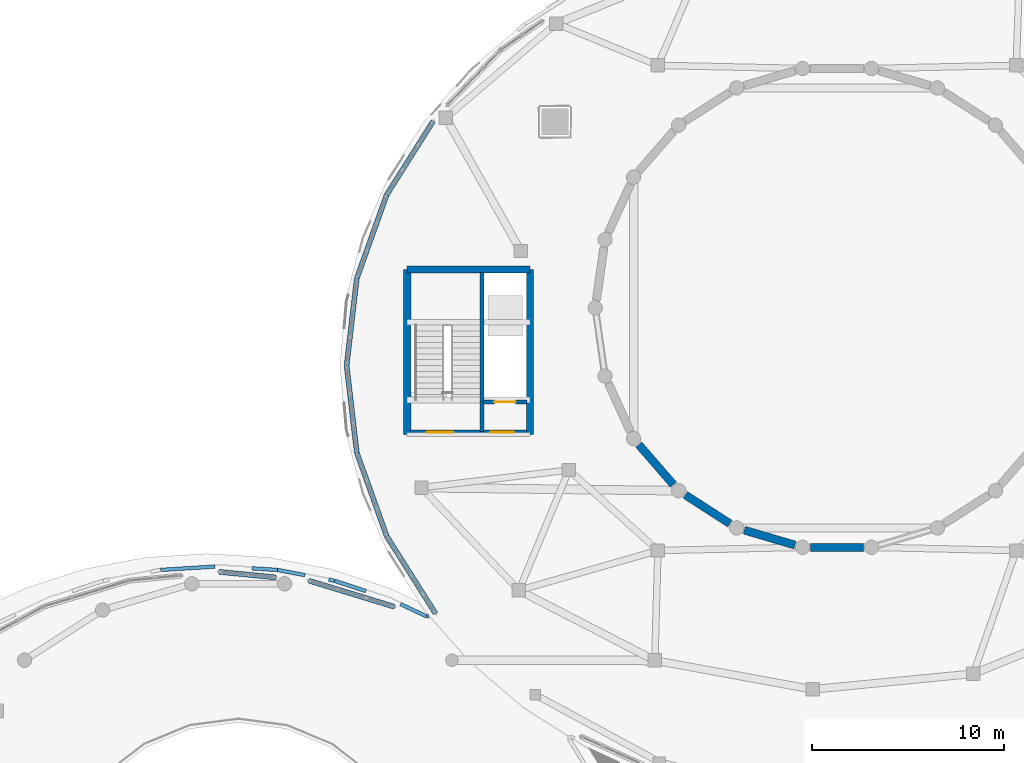
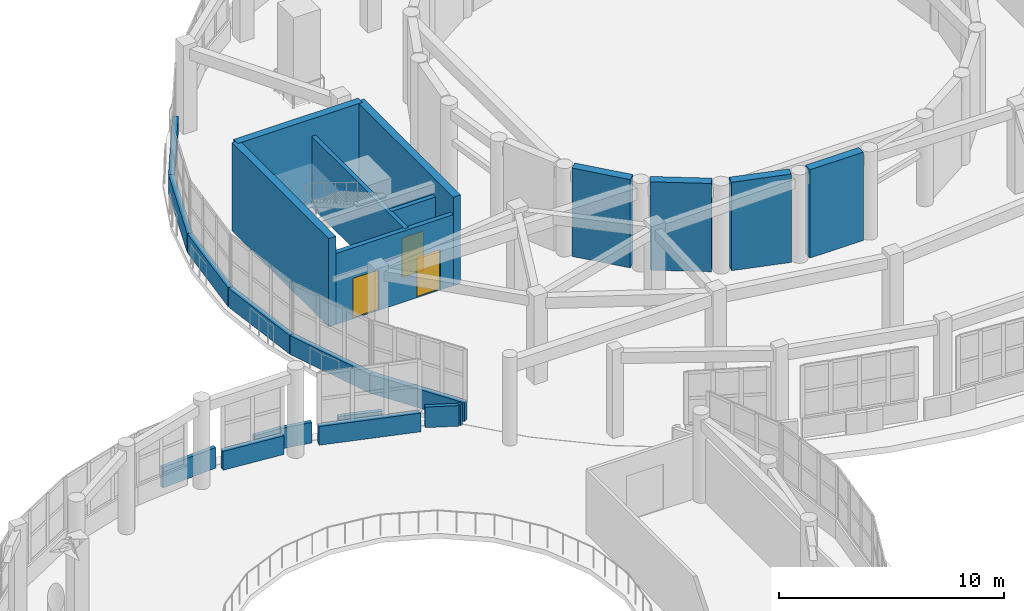
# One storey, part 78 of 98: 25 walls, 3 doors, 3 openings.
"""IFC4 building model written with IfcOpenShell, lengths in metres."""

from ifc_helpers import new_model, si_unit, direction, frame, frame_2d, origin, place, context, subcontext, project, spatial, rectangle, extrude, material, layer, layer_set, type_object, element, fill, save


model = new_model("IFC4")

# Units and contexts
model_context = context("Model", 3, precision=1e-05, world=origin(), true_north=direction((0.0, 1.0)))
body_context = subcontext(model_context, "Body", "Model", "MODEL_VIEW")
ifc_project = project(units=[si_unit("LENGTHUNIT", "METRE"), si_unit("AREAUNIT", "SQUARE_METRE"), si_unit("VOLUMEUNIT", "CUBIC_METRE"), si_unit("PLANEANGLEUNIT", "RADIAN"), si_unit("MASSUNIT", "GRAM", prefix="KILO")], contexts=[model_context])

# Site, building, storey
site_placement = place(None, origin())
site = spatial("IfcSite", under=ifc_project, at=site_placement, CompositionType="ELEMENT")
building_placement = place(site_placement, origin())
building = spatial("IfcBuilding", under=site, at=building_placement, Name="Pelvatis Terrace Science Centre", CompositionType="ELEMENT")
storey_placement = place(building_placement, frame((0.0, 0.0, 5.39990234375)))
storey = spatial("IfcBuildingStorey", under=building, at=storey_placement, Name="L01", CompositionType="ELEMENT", Elevation=5.39990234375)

# Walls
ifc_material_1 = material(Name="White architectural precast concrete C40/50 spandrel", Category="concrete")
ifc_layer_1 = layer(ifc_material_1, 0.260009765625)
ifc_layer_set_1 = layer_set([ifc_layer_1], Name="White architectural precast concrete C40/50 spandrel")
wall_type_1 = type_object("IfcWallType", Name="WL-EXT-SPND-260", PredefinedType="SOLIDWALL", material=ifc_layer_set_1)
wall_1_placement = place(storey_placement, frame((86.13330078125, 70.23291015625, 0.0), z_axis=(0.0, 0.0, 1.0), x_axis=(-0.956504637963, 0.291717119063, 0.0)))
element("IfcWall", 1, at=wall_1_placement, inside=storey, type_object=wall_type_1, Name="V2 white spiral spandrel band 06 (L01)", PredefinedType="SOLIDWALL", context=body_context, shape_type="SweptSolid", body=[
    extrude(rectangle(XDim=4.651611328125, YDim=0.260009765625, at=frame_2d((2.32568359375, 0.0))), origin(), (0.0, 0.0, 1.0), 1.02001953125),
])
wall_2_placement = place(storey_placement, frame((79.94970703125, 71.76025390625, 0.0), z_axis=(0.0, 0.0, 1.0), x_axis=(-0.99520858599, 0.097774589602, 0.0)))
element("IfcWall", 2, at=wall_2_placement, inside=storey, type_object=wall_type_1, Name="V2 white spiral spandrel band 07 (L01)", PredefinedType="SOLIDWALL", context=body_context, shape_type="SweptSolid", body=[
    extrude(rectangle(XDim=2.9638671875, YDim=0.260009765625, at=frame_2d((1.48193359375, 0.0))), origin(), (0.0, 0.0, 1.0), 1.02001953125),
])
wall_3_placement = place(storey_placement, frame((88.161865234375, 95.535888671875, 0.0), z_axis=(0.0, 0.0, 1.0), x_axis=(-0.533697490397, -0.845675463014, 0.0)))
element("IfcWall", 3, at=wall_3_placement, inside=storey, type_object=wall_type_1, Name="V1 white spiral spandrel band 14 (L01)", PredefinedType="SOLIDWALL", context=body_context, shape_type="SweptSolid", body=[
    extrude(rectangle(XDim=4.538818359375, YDim=0.260009765625, at=frame_2d((2.26953125, 0.0))), origin(), (0.0, 0.0, 1.0), 1.02001953125),
])
wall_4_placement = place(storey_placement, frame((85.739501953125, 91.697509765625, 0.0), z_axis=(0.0, 0.0, 1.0), x_axis=(-0.337144107884, -0.941453052743, 0.0)))
element("IfcWall", 4, at=wall_4_placement, inside=storey, type_object=wall_type_1, Name="V1 white spiral spandrel band 15 (L01)", PredefinedType="SOLIDWALL", context=body_context, shape_type="SweptSolid", body=[
    extrude(rectangle(XDim=4.633056640625, YDim=0.260009765625, at=frame_2d((2.31640625, 0.0))), origin(), (0.0, 0.0, 1.0), 1.02001953125),
])
wall_5_placement = place(storey_placement, frame((84.177490234375, 87.335693359375, 0.0), z_axis=(0.0, 0.0, 1.0), x_axis=(-0.115541343201, -0.993302671904, 0.0)))
element("IfcWall", 5, at=wall_5_placement, inside=storey, type_object=wall_type_1, Name="V1 white spiral spandrel band 16 (L01)", PredefinedType="SOLIDWALL", context=body_context, shape_type="SweptSolid", body=[
    extrude(rectangle(XDim=4.566162109375, YDim=0.260009765625, at=frame_2d((2.283203125, 0.0))), origin(), (0.0, 0.0, 1.0), 1.02001953125),
])
wall_6_placement = place(storey_placement, frame((83.64990234375, 82.800048828125, 0.0), z_axis=(0.0, 0.0, 1.0), x_axis=(0.115535207294, -0.993303385616, 0.0)))
element("IfcWall", 6, at=wall_6_placement, inside=storey, type_object=wall_type_1, Name="V1 white spiral spandrel band 17 (L01)", PredefinedType="SOLIDWALL", context=body_context, shape_type="SweptSolid", body=[
    extrude(rectangle(XDim=4.56640625, YDim=0.260009765625, at=frame_2d((2.283203125, 0.0))), origin(), (0.0, 0.0, 1.0), 1.02001953125),
])
wall_7_placement = place(storey_placement, frame((84.177490234375, 78.26416015625, 0.0), z_axis=(0.0, 0.0, 1.0), x_axis=(0.33716083441, -0.941447062633, 0.0)))
element("IfcWall", 7, at=wall_7_placement, inside=storey, type_object=wall_type_1, Name="V1 white spiral spandrel band 18 (L01)", PredefinedType="SOLIDWALL", context=body_context, shape_type="SweptSolid", body=[
    extrude(rectangle(XDim=4.6328125, YDim=0.260009765625, at=frame_2d((2.31640625, 0.0))), origin(), (0.0, 0.0, 1.0), 1.02001953125),
])
wall_8_placement = place(storey_placement, frame((85.739501953125, 73.902587890625, 0.0), z_axis=(0.0, 0.0, 1.0), x_axis=(0.533687611515, -0.845681697399, 0.0)))
element("IfcWall", 8, at=wall_8_placement, inside=storey, type_object=wall_type_1, Name="V1 white spiral spandrel band 19 (L01)", PredefinedType="SOLIDWALL", context=body_context, shape_type="SweptSolid", body=[
    extrude(rectangle(XDim=4.7529296875, YDim=0.260009765625, at=frame_2d((2.37646484375, 0.0))), origin(), (0.0, 0.0, 1.0), 1.02001953125),
])
ifc_material_2 = material(Name="Concrete C35/45 shaft dividing wall", Category="concrete")
ifc_layer_2 = layer(ifc_material_2, 0.2099609375)
ifc_layer_set_2 = layer_set([ifc_layer_2], Name="Concrete C35/45 shaft dividing wall")
wall_type_2 = type_object("IfcWallType", Name="WL-INT-CORE-210", PredefinedType="PARTITIONING", material=ifc_layer_set_2)
wall_9_placement = place(storey_placement, frame((90.699951171875, 79.35009765625, 0.0), z_axis=(0.0, 0.0, 1.0), x_axis=(0.0, 1.0, 0.0)))
element("IfcWall", 9, at=wall_9_placement, inside=storey, type_object=wall_type_2, Name="Core C1 stair-lift shaft fire wall (L01)", PredefinedType="PARTITIONING", context=body_context, shape_type="SweptSolid", body=[
    extrude(rectangle(XDim=8.2998046875, YDim=0.2099609375, at=frame_2d((4.14990234375, 0.0))), origin(), (0.0, 0.0, 1.0), 3.860107421875),
])

# Wall, opening, door
ifc_material_3 = material(Name="Concrete C35/45 stair enclosure wall", Category="concrete")
ifc_layer_3 = layer(ifc_material_3, 0.22509765625)
ifc_layer_set_3 = layer_set([ifc_layer_3], Name="Concrete C35/45 stair enclosure wall")
wall_type_3 = type_object("IfcWallType", Name="WL-INT-CORE-225", PredefinedType="PARTITIONING", material=ifc_layer_set_3)
wall_10_placement = place(storey_placement, frame((90.75, 80.89990234375, 0.0), z_axis=(0.0, 0.0, 1.0), x_axis=(1.0, 0.0, 0.0)))
wall_10 = element("IfcWall", 10, at=wall_10_placement, inside=storey, type_object=wall_type_3, Name="Core C1 lift shaft landing wall (L01)", PredefinedType="PARTITIONING", context=body_context, shape_type="SweptSolid", body=[
    extrude(rectangle(XDim=2.300048828125, YDim=0.22509765625, at=frame_2d((1.14990234375, 0.0))), origin(), (0.0, 0.0, 1.0), 3.860107421875),
])
opening_1_placement = place(wall_10_placement, frame((0.60009765625, 0.0, 0.0)))
opening_1 = element("IfcOpeningElement", 11, at=opening_1_placement, cuts=wall_10, Name="Opening LD-C1-3", PredefinedType="OPENING", context=body_context, shape_type="SweptSolid", body=[
    extrude(rectangle(XDim=1.10009765625, YDim=2.14990234375, at=frame_2d((0.550048828125, 1.074951171875))), frame((0.0, 0.12255859375, 0.0), z_axis=(0.0, -1.0, 0.0), x_axis=(1.0, 0.0, 0.0)), (0.0, 0.0, 1.0), 0.2451171875),
])
ifc_material_4 = material(Name="Stainless steel sliding fire-fighting lift landing door", Category="steel")
door_type_1 = type_object("IfcDoorType", Name="DR-LIFT-1100x2150", OperationType="NOTDEFINED", PredefinedType="DOOR", material=ifc_material_4)
door_1_placement = place(opening_1_placement, origin())
door_1 = element("IfcDoor", 12, at=door_1_placement, inside=storey, type_object=door_type_1, Name="Lift LF-01 sliding landing door (L01)", OperationType="SLIDING_TO_LEFT", OverallHeight=2.14990234375, OverallWidth=1.10009765625, PredefinedType="DOOR", context=body_context, shape_type="SweptSolid", body=[
    extrude(rectangle(XDim=1.10009765625, YDim=2.14990234375, at=frame_2d((0.550048828125, 1.074951171875))), frame((0.0, 0.02490234375, 0.0), z_axis=(0.0, -1.0, 0.0), x_axis=(1.0, 0.0, 0.0)), (0.0, 0.0, 1.0), 0.050048828125),
])
fill(opening_1, door_1)

# Wall, openings, doors
ifc_material_5 = material(Name="Concrete C35/45 shaft enclosure wall", Category="concrete")
ifc_layer_4 = layer(ifc_material_5, 0.239990234375)
ifc_layer_set_4 = layer_set([ifc_layer_4], Name="Concrete C35/45 shaft enclosure wall")
wall_type_4 = type_object("IfcWallType", Name="WL-INT-CORE-240", PredefinedType="PARTITIONING", material=ifc_layer_set_4)
wall_11_placement = place(storey_placement, frame((86.949951171875, 79.320068359375, 0.0), z_axis=(0.0, 0.0, 1.0), x_axis=(1.0, 0.0, 0.0)))
wall_11 = element("IfcWall", 13, at=wall_11_placement, inside=storey, type_object=wall_type_4, Name="Core C1 fire-rated lobby wall (L01)", PredefinedType="PARTITIONING", context=body_context, shape_type="SweptSolid", body=[
    extrude(rectangle(XDim=6.10009765625, YDim=0.239990234375, at=frame_2d((3.050048828125, 0.0))), origin(), (0.0, 0.0, 1.0), 3.860107421875),
])
opening_2_placement = place(wall_11_placement, frame((0.89990234375, 0.0, 0.0)))
opening_2 = element("IfcOpeningElement", 14, at=opening_2_placement, cuts=wall_11, Name="Opening D-105", PredefinedType="OPENING", context=body_context, shape_type="SweptSolid", body=[
    extrude(rectangle(XDim=1.35009765625, YDim=2.199951171875, at=frame_2d((0.675048828125, 1.10009765625))), frame((0.0, 0.1298828125, 0.0), z_axis=(0.0, -1.0, 0.0), x_axis=(1.0, 0.0, 0.0)), (0.0, 0.0, 1.0), 0.260009765625),
])
opening_3_placement = place(wall_11_placement, frame((4.199951171875, 0.0, 0.0)))
opening_3 = element("IfcOpeningElement", 15, at=opening_3_placement, cuts=wall_11, Name="Opening D-106", PredefinedType="OPENING", context=body_context, shape_type="SweptSolid", body=[
    extrude(rectangle(XDim=1.199951171875, YDim=2.199951171875, at=frame_2d((0.60009765625, 1.10009765625))), frame((0.0, 0.1298828125, 0.0), z_axis=(0.0, -1.0, 0.0), x_axis=(1.0, 0.0, 0.0)), (0.0, 0.0, 1.0), 0.260009765625),
])
ifc_material_6 = material(Name="Steel fire-rated exit stair door", Category="steel")
door_type_2 = type_object("IfcDoorType", Name="DR-STAIR-1200x2200", OperationType="NOTDEFINED", PredefinedType="DOOR", material=ifc_material_6)
door_2_placement = place(opening_3_placement, origin())
door_2 = element("IfcDoor", 16, at=door_2_placement, inside=storey, type_object=door_type_2, Name="Core C1 lift lobby fire door (L01)", OperationType="SINGLE_SWING_RIGHT", OverallHeight=2.199951171875, OverallWidth=1.199951171875, PredefinedType="DOOR", context=body_context, shape_type="SweptSolid", body=[
    extrude(rectangle(XDim=1.199951171875, YDim=2.199951171875, at=frame_2d((0.60009765625, 1.10009765625))), frame((0.0, 0.02490234375, 0.0), z_axis=(0.0, -1.0, 0.0), x_axis=(1.0, 0.0, 0.0)), (0.0, 0.0, 1.0), 0.050048828125),
])
fill(opening_3, door_2)
ifc_material_7 = material(Name="Steel fire-rated protected stair door", Category="steel")
door_type_3 = type_object("IfcDoorType", Name="DR-STAIR-1350x2200", OperationType="NOTDEFINED", PredefinedType="DOOR", material=ifc_material_7)
door_3_placement = place(opening_2_placement, origin())
door_3 = element("IfcDoor", 17, at=door_3_placement, inside=storey, type_object=door_type_3, Name="Core C1 protected stair fire door (L01)", OperationType="SINGLE_SWING_LEFT", OverallHeight=2.199951171875, OverallWidth=1.35009765625, PredefinedType="DOOR", context=body_context, shape_type="SweptSolid", body=[
    extrude(rectangle(XDim=1.35009765625, YDim=2.199951171875, at=frame_2d((0.675048828125, 1.10009765625))), frame((0.0, 0.02490234375, 0.0), z_axis=(0.0, -1.0, 0.0), x_axis=(1.0, 0.0, 0.0)), (0.0, 0.0, 1.0), 0.050048828125),
])
fill(opening_2, door_3)

# Walls
ifc_material_8 = material(Name="White architectural precast concrete C40/50 spandrel parapet", Category="concrete")
ifc_layer_5 = layer(ifc_material_8, 0.18994140625)
ifc_layer_set_5 = layer_set([ifc_layer_5], Name="White architectural precast concrete C40/50 spandrel parapet")
wall_type_5 = type_object("IfcWallType", Name="WL-PAR-190", PredefinedType="PARAPET", material=ifc_layer_set_5)
wall_12_placement = place(storey_placement, frame((73.9619140625, 72.150146484375, 0.0), z_axis=(0.0, 0.0, 1.0), x_axis=(0.998057611315, 0.062297708599, 0.0)))
element("IfcWall", 18, at=wall_12_placement, inside=storey, type_object=wall_type_5, Name="Perimeter edge closure parapet PW-EDG-L01-111", PredefinedType="PARAPET", context=body_context, shape_type="SweptSolid", body=[
    extrude(rectangle(XDim=2.82958984375, YDim=0.18994140625, at=frame_2d((1.414794921875, 0.0))), origin(), (0.0, 0.0, 1.0), 1.1201171875),
])
wall_13_placement = place(storey_placement, frame((78.729736328125, 72.231689453125, 0.0), z_axis=(0.0, 0.0, 1.0), x_axis=(0.998063433404, -0.062204364015, 0.0)))
element("IfcWall", 19, at=wall_13_placement, inside=storey, type_object=wall_type_5, Name="Perimeter edge closure parapet PW-EDG-L01-112", PredefinedType="PARAPET", context=body_context, shape_type="SweptSolid", body=[
    extrude(rectangle(XDim=1.310791015625, YDim=0.18994140625, at=frame_2d((0.6552734375, 0.0))), origin(), (0.0, 0.0, 1.0), 1.1201171875),
])
wall_14_placement = place(storey_placement, frame((80.0380859375, 72.150146484375, 0.0), z_axis=(0.0, 0.0, 1.0), x_axis=(0.982395206125, -0.186814504207, 0.0)))
element("IfcWall", 20, at=wall_14_placement, inside=storey, type_object=wall_type_5, Name="Perimeter edge closure parapet PW-EDG-L01-113", PredefinedType="PARAPET", context=body_context, shape_type="SweptSolid", body=[
    extrude(rectangle(XDim=1.47021484375, YDim=0.18994140625, at=frame_2d((0.735107421875, 0.0))), origin(), (0.0, 0.0, 1.0), 1.1201171875),
])
wall_15_placement = place(storey_placement, frame((82.717041015625, 71.640625, 0.0), z_axis=(0.0, 0.0, 1.0), x_axis=(0.982458484281, -0.186481437854, 0.0)))
element("IfcWall", 21, at=wall_15_placement, inside=storey, type_object=wall_type_5, Name="Perimeter edge closure parapet PW-EDG-L01-114", PredefinedType="PARAPET", context=body_context, shape_type="SweptSolid", body=[
    extrude(rectangle(XDim=0.302490234375, YDim=0.18994140625, at=frame_2d((0.1513671875, 0.0))), origin(), (0.0, 0.0, 1.0), 1.1201171875),
])
wall_16_placement = place(storey_placement, frame((83.01416015625, 71.584228515625, 0.0), z_axis=(0.0, 0.0, 1.0), x_axis=(0.950793564659, -0.309825107766, 0.0)))
element("IfcWall", 22, at=wall_16_placement, inside=storey, type_object=wall_type_5, Name="Perimeter edge closure parapet PW-EDG-L01-115", PredefinedType="PARAPET", context=body_context, shape_type="SweptSolid", body=[
    extrude(rectangle(XDim=1.7177734375, YDim=0.18994140625, at=frame_2d((0.85888671875, 0.0))), origin(), (0.0, 0.0, 1.0), 1.1201171875),
])
wall_17_placement = place(storey_placement, frame((86.45263671875, 70.375, 0.0), z_axis=(0.0, 0.0, 1.0), x_axis=(0.902604642784, -0.43047050866, 0.0)))
element("IfcWall", 23, at=wall_17_placement, inside=storey, type_object=wall_type_5, Name="Perimeter edge closure parapet PW-EDG-L01-116", PredefinedType="PARAPET", context=body_context, shape_type="SweptSolid", body=[
    extrude(rectangle(XDim=1.517578125, YDim=0.18994140625, at=frame_2d((0.7587890625, 0.0))), origin(), (0.0, 0.0, 1.0), 1.1201171875),
])
wall_18_placement = place(storey_placement, frame((87.822509765625, 69.7216796875, 0.0), z_axis=(0.0, 0.0, 1.0), x_axis=(0.956792768287, 0.290770697549, 0.0)))
element("IfcWall", 24, at=wall_18_placement, inside=storey, type_object=wall_type_5, Name="Perimeter edge closure parapet PW-EDG-L01-117", PredefinedType="PARAPET", context=body_context, shape_type="SweptSolid", body=[
    extrude(rectangle(XDim=0.124267578125, YDim=0.18994140625, at=frame_2d((0.06201171875, 0.0))), origin(), (0.0, 0.0, 1.0), 1.1201171875),
])
ifc_material_9 = material(Name="Concrete C40/50", Category="concrete")
ifc_layer_6 = layer(ifc_material_9, 0.3798828125)
ifc_layer_set_6 = layer_set([ifc_layer_6], Name="Concrete C40/50")
wall_type_6 = type_object("IfcWallType", Name="WL-SHR-380", PredefinedType="SHEAR", material=ifc_layer_set_6)
wall_19_placement = place(storey_placement, frame((86.800048828125, 87.800048828125, 0.0), z_axis=(0.0, 0.0, 1.0), x_axis=(1.0, 0.0, 0.0)))
element("IfcWall", 25, at=wall_19_placement, inside=storey, type_object=wall_type_6, Name="Core C1 shear wall N (L01)", PredefinedType="SHEAR", context=body_context, shape_type="SweptSolid", body=[
    extrude(rectangle(XDim=6.39990234375, YDim=0.3798828125, at=frame_2d((3.199951171875, 0.0))), origin(), (0.0, 0.0, 1.0), 4.800048828125),
])
for number, where, z_axis, x_axis, name in (
    (26, (86.800048828125, 79.199951171875, 0.0), (0.0, 0.0, 1.0), (0.0, 1.0, 0.0), "Core C1 shear wall W (L01)"),
    (27, (93.199951171875, 79.199951171875, 0.0), (0.0, 0.0, 1.0), (0.0, 1.0, 0.0), "Core C1 shear wall E (L01)"),
):
    element("IfcWall", number, at=place(storey_placement, frame(where, z_axis=z_axis, x_axis=x_axis)), inside=storey, type_object=wall_type_6, Name=name, PredefinedType="SHEAR", context=body_context, shape_type="SweptSolid", body=[
        extrude(rectangle(XDim=8.60009765625, YDim=0.3798828125, at=frame_2d((4.300048828125, 0.0))), origin(), (0.0, 0.0, 1.0), 4.800048828125),
    ])
ifc_material_10 = material(Name="Concrete C40/50", Category="concrete")
ifc_layer_7 = layer(ifc_material_10, 0.419921875)
ifc_layer_set_7 = layer_set([ifc_layer_7], Name="Concrete C40/50")
wall_type_7 = type_object("IfcWallType", Name="WL-SHR-420", PredefinedType="SHEAR", material=ifc_layer_set_7)
wall_20_placement = place(storey_placement, frame((98.875244140625, 78.67041015625, 0.0), z_axis=(0.0, 0.0, 1.0), x_axis=(0.654903462799, -0.755712547476, 0.0)))
element("IfcWall", 28, at=wall_20_placement, inside=storey, type_object=wall_type_7, Name="Planetarium shear drum wall 14 (L01)", PredefinedType="SHEAR", context=body_context, shape_type="SweptSolid", body=[
    extrude(rectangle(XDim=2.746337890625, YDim=0.419921875, at=frame_2d((1.373046875, 0.0))), origin(), (0.0, 0.0, 1.0), 4.800048828125),
])
wall_21_placement = place(storey_placement, frame((101.302001953125, 76.050537109375, 0.0), z_axis=(0.0, 0.0, 1.0), x_axis=(0.841259333828, -0.540631790822, 0.0)))
element("IfcWall", 29, at=wall_21_placement, inside=storey, type_object=wall_type_7, Name="Planetarium shear drum wall 15 (L01)", PredefinedType="SHEAR", context=body_context, shape_type="SweptSolid", body=[
    extrude(rectangle(XDim=2.74658203125, YDim=0.419921875, at=frame_2d((1.373291015625, 0.0))), origin(), (0.0, 0.0, 1.0), 4.800048828125),
])
for number, where, z_axis, x_axis, name in (
    (30, (104.368896484375, 74.22021484375, 0.0), (0.0, 0.0, 1.0), (0.959495634771, -0.281723493615, 0.0), "Planetarium shear drum wall 16 (L01)"),
    (31, (107.826904296875, 73.328125, 0.0), (0.0, 0.0, 1.0), (1.0, 0.0, 0.0), "Planetarium shear drum wall 17 (L01)"),
):
    element("IfcWall", number, at=place(storey_placement, frame(where, z_axis=z_axis, x_axis=x_axis)), inside=storey, type_object=wall_type_7, Name=name, PredefinedType="SHEAR", context=body_context, shape_type="SweptSolid", body=[
        extrude(rectangle(XDim=2.746337890625, YDim=0.419921875, at=frame_2d((1.373046875, 0.0))), origin(), (0.0, 0.0, 1.0), 4.800048828125),
    ])

save(model, "model.ifc")
